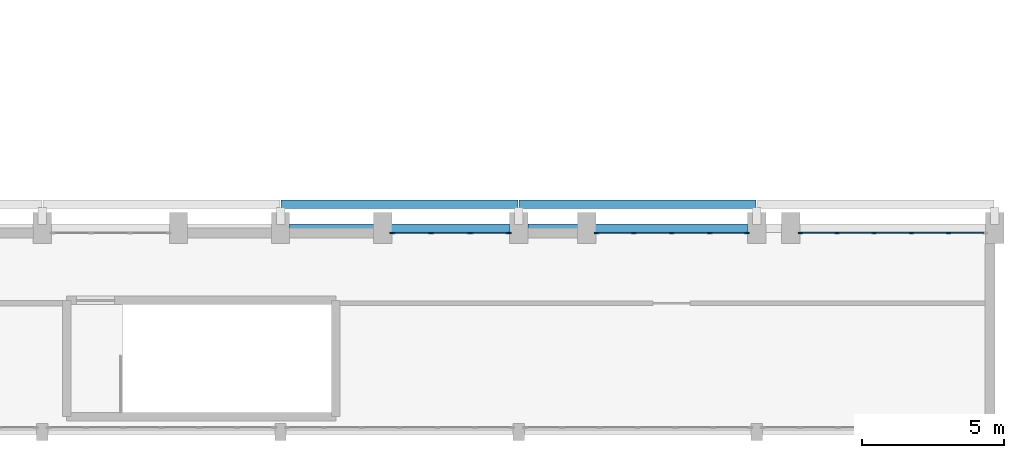
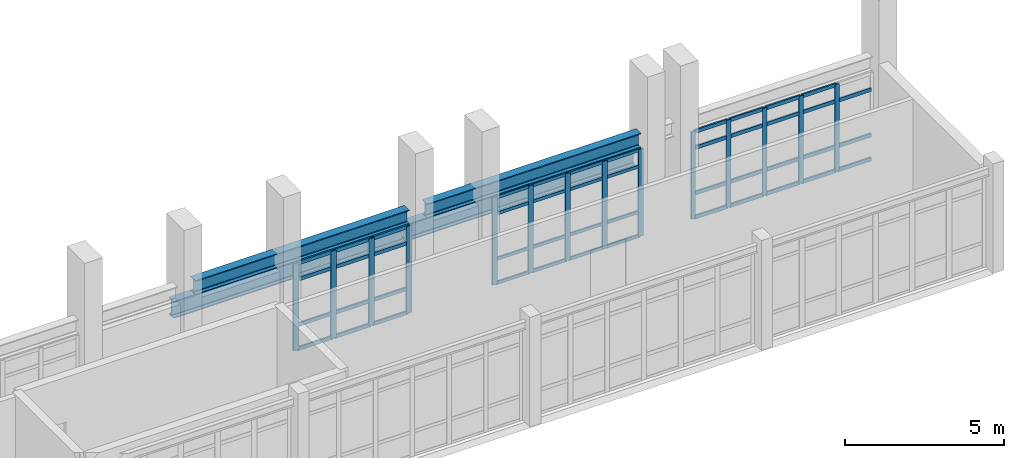
# One storey, part 86 of 147: 61 members, 4 beams, 3 elements without a shape of their own.
"""IFC4 building model written with IfcOpenShell, lengths in metres."""

import ifcopenshell
import ifcopenshell.guid

model = None  # the IFC model being written
_history = None  # IfcOwnerHistory: only IFC2X3 demands one
_inside = {}  # id of a spatial element -> (the spatial element, [elements in it])
_under = {}  # id of a project, library or spatial element -> (it, [spatial elements below it])
_declared = {}  # id of a project -> (the project, [libraries it declares])
_typed = {}  # id of a type object -> (the type object, [elements of that type])
_made_of = {}  # id of a material, layer set ... -> (it, [elements and type objects made of it])


def new_model(schema):
    """Start an empty IFC model of exactly this schema.

    Asked for "IFC4X3", IfcOpenShell would pick the latest addendum, in which some entities
    have other attributes; the version numbers below select the first issue.
    IFC2X3 requires an IfcOwnerHistory on every rooted entity: one is made here for all.
    """
    global model, _history
    if schema == "IFC4X3":
        model = ifcopenshell.file(schema_version=(4, 3, 0, 0))
    else:
        model = ifcopenshell.file(schema=schema)
    _inside.clear()
    _under.clear()
    _declared.clear()
    _typed.clear()
    _made_of.clear()
    _history = None
    if model.schema == "IFC2X3":
        org = make("IfcOrganization", Name="unknown")
        user = make(
            "IfcPersonAndOrganization",
            ThePerson=make("IfcPerson", FamilyName="unknown"),
            TheOrganization=org,
        )
        app = make(
            "IfcApplication",
            ApplicationDeveloper=org,
            Version="unknown",
            ApplicationFullName="unknown",
            ApplicationIdentifier="unknown",
        )
        _history = make(
            "IfcOwnerHistory",
            OwningUser=user,
            OwningApplication=app,
            ChangeAction="ADDED",
            CreationDate=0,
        )
    return model


def make(cls, **values):
    """One entity of the class cls with the attributes given. An attribute that is None is left unset."""
    return model.create_entity(
        cls, **{name: value for name, value in values.items() if value is not None}
    )


def rooted(cls, **values):
    """An entity with a GlobalId (a new one), such as an element, a storey or a relation."""
    return make(cls, GlobalId=ifcopenshell.guid.new(), OwnerHistory=_history, **values)


def si_unit(unit_type, name, prefix=None):
    """IfcSIUnit, for example si_unit("LENGTHUNIT", "METRE", prefix="MILLI")."""
    return make("IfcSIUnit", UnitType=unit_type, Prefix=prefix, Name=name)


def assignment(units):
    """IfcUnitAssignment: the units of a project."""
    return None if units is None else make("IfcUnitAssignment", Units=units)


def point(xyz):
    """IfcCartesianPoint."""
    return None if xyz is None else make("IfcCartesianPoint", Coordinates=xyz)


def direction(xyz):
    """IfcDirection."""
    return None if xyz is None else make("IfcDirection", DirectionRatios=xyz)


def frame(location, z_axis=None, x_axis=None):
    """IfcAxis2Placement3D, a coordinate frame: its origin and axes. An axis left out is left unset."""
    return make(
        "IfcAxis2Placement3D",
        Location=point(location),
        Axis=direction(z_axis),
        RefDirection=direction(x_axis),
    )


def frame_2d(location, x_axis=None):
    """IfcAxis2Placement2D, a coordinate frame in the plane: its origin and x axis."""
    return make(
        "IfcAxis2Placement2D", Location=point(location), RefDirection=direction(x_axis)
    )


def origin():
    """The frame at (0, 0, 0) with its axes left unset."""
    return frame((0.0, 0.0, 0.0))


def origin_2d():
    """The frame at (0, 0) in the plane with its x axis left unset."""
    return frame_2d((0.0, 0.0))


def place(relative_to, where):
    """IfcLocalPlacement: puts the frame where relative to a parent placement (None: the world)."""
    return make(
        "IfcLocalPlacement", PlacementRelTo=relative_to, RelativePlacement=where
    )


def context(
    kind, dimensions, precision=None, world=None, true_north=None, identifier=None
):
    """IfcGeometricRepresentationContext, for example the 3D "Model" context."""
    return make(
        "IfcGeometricRepresentationContext",
        ContextIdentifier=identifier,
        ContextType=kind,
        CoordinateSpaceDimension=dimensions,
        Precision=precision,
        WorldCoordinateSystem=world,
        TrueNorth=true_north,
    )


def subcontext(parent, identifier, kind, view, scale=None):
    """IfcGeometricRepresentationSubContext, for example "Body" below "Model"."""
    return make(
        "IfcGeometricRepresentationSubContext",
        ContextIdentifier=identifier,
        ContextType=kind,
        ParentContext=parent,
        TargetScale=scale,
        TargetView=view,
    )


def project(units=None, contexts=None):
    """IfcProject with its units and contexts."""
    return rooted(
        "IfcProject",
        Name="project",
        RepresentationContexts=contexts,
        UnitsInContext=assignment(units),
    )


def spatial(cls, under=None, at=None, **own):
    """A site, building, storey or space (cls), placed at a placement, below another one or the project."""
    s = rooted(cls, ObjectPlacement=at, **own)
    if under is not None:
        _under.setdefault(under.id(), (under, []))[1].append(s)
    return s


def profile(cls, at=None, kind="AREA", **sizes):
    """A parametric profile (cls). Its sizes go by their IFC names, for example OverallWidth=200.0."""
    return make(cls, ProfileType=kind, Position=at, **sizes)


def rectangle(**sizes):
    """IfcRectangleProfileDef."""
    return profile("IfcRectangleProfileDef", **sizes)


def i_section(**sizes):
    """IfcIShapeProfileDef."""
    return profile("IfcIShapeProfileDef", **sizes)


def extrude(swept, where, along, depth):
    """IfcExtrudedAreaSolid: the profile swept, set in the frame where, extruded along a direction by depth."""
    return make(
        "IfcExtrudedAreaSolid",
        SweptArea=swept,
        Position=where,
        ExtrudedDirection=direction(along),
        Depth=depth,
    )


def shape(context_of_items, identifier, shape_type, items):
    """IfcShapeRepresentation: the items that make up one representation, for example the "Body"."""
    return make(
        "IfcShapeRepresentation",
        ContextOfItems=context_of_items,
        RepresentationIdentifier=identifier,
        RepresentationType=shape_type,
        Items=items,
    )


def material(Name=None, Category=None):
    """IfcMaterial."""
    return make("IfcMaterial", Name=Name, Category=Category)


def material_profile(
    of_material, cross_section, Name=None, Category=None, Priority=None
):
    """IfcMaterialProfile: a cross section and its material."""
    return make(
        "IfcMaterialProfile",
        Name=Name,
        Material=of_material,
        Profile=cross_section,
        Priority=Priority,
        Category=Category,
    )


def profile_set(profiles, Name=None, composite=None):
    """IfcMaterialProfileSet."""
    return make(
        "IfcMaterialProfileSet",
        Name=Name,
        MaterialProfiles=profiles,
        CompositeProfile=composite,
    )


def made_of(thing, what):
    """Note that an element or type object is made of a material, layer set ...; save() writes the relation."""
    if what is not None:
        _made_of.setdefault(what.id(), (what, []))[1].append(thing)
    return thing


def type_object(cls, material=None, **own):
    """A type object (cls), such as IfcWallType, which elements share."""
    return made_of(rooted(cls, **own), material)


def element(
    cls,
    number,
    at=None,
    inside=None,
    cuts=None,
    type_object=None,
    material=None,
    context=None,
    identifier="Body",
    shape_type=None,
    held_by="IfcProductDefinitionShape",
    body=None,
    shapes=None,
    **own,
):
    """One element of the class cls, such as IfcWall. Its Tag is "e" and its number.

    at: its placement. inside: the storey or other place that contains it. cuts: it is an
    opening in that element (IfcRelVoidsElement). A single representation is given by context,
    identifier, shape_type and body (its items); several are given by shapes. held_by: the class
    of the entity that holds the representations. save() writes the other relations.
    """
    e = rooted(cls, Tag="e%d" % number, ObjectPlacement=at, **own)
    if body is not None:
        shapes = [shape(context, identifier, shape_type, body)]
    if shapes is not None:
        e.Representation = make(held_by, Representations=shapes)
    if inside is not None:
        _inside.setdefault(inside.id(), (inside, []))[1].append(e)
    if cuts is not None:
        rooted(
            "IfcRelVoidsElement", RelatingBuildingElement=cuts, RelatedOpeningElement=e
        )
    if type_object is not None:
        _typed.setdefault(type_object.id(), (type_object, []))[1].append(e)
    return made_of(e, material)


def aggregate(whole, parts):
    """IfcRelAggregates: a whole, such as a stair, and the parts it consists of."""
    return rooted("IfcRelAggregates", RelatingObject=whole, RelatedObjects=parts)


def save(model, path):
    """Write the relations noted so far, then the file.

    IfcRelAggregates (storeys below a building ...), IfcRelContainedInSpatialStructure (elements
    in a storey), IfcRelDefinesByType, IfcRelAssociatesMaterial and IfcRelDeclares: one each for
    every whole, place, type object, material and project.
    """
    for whole, parts in _under.values():
        aggregate(whole, parts)
    for where, things in _inside.values():
        rooted(
            "IfcRelContainedInSpatialStructure",
            RelatedElements=things,
            RelatingStructure=where,
        )
    for kind, things in _typed.values():
        rooted("IfcRelDefinesByType", RelatedObjects=things, RelatingType=kind)
    for what, things in _made_of.values():
        rooted("IfcRelAssociatesMaterial", RelatedObjects=things, RelatingMaterial=what)
    for by, libraries in _declared.values():
        rooted("IfcRelDeclares", RelatingContext=by, RelatedDefinitions=libraries)
    model.write(path)


model = new_model("IFC4")

# Units and contexts
model_context = context("Model", 3, precision=1e-05, world=origin(), true_north=direction((0.0, 1.0)))
body_context = subcontext(model_context, "Body", "Model", "MODEL_VIEW")
ifc_project = project(units=[si_unit("LENGTHUNIT", "METRE"), si_unit("AREAUNIT", "SQUARE_METRE"), si_unit("VOLUMEUNIT", "CUBIC_METRE"), si_unit("PLANEANGLEUNIT", "RADIAN"), si_unit("MASSUNIT", "GRAM", prefix="KILO")], contexts=[model_context])

# Site, building, storey
site_placement = place(None, origin())
site = spatial("IfcSite", under=ifc_project, at=site_placement, CompositionType="ELEMENT")
building_placement = place(site_placement, origin())
building = spatial("IfcBuilding", under=site, at=building_placement, Name="Malvenik Polytechnic", CompositionType="ELEMENT")
storey_placement = place(building_placement, frame((0.0, 0.0, 5.10009765625)))
storey = spatial("IfcBuildingStorey", under=building, at=storey_placement, Name="L01", CompositionType="ELEMENT", Elevation=5.10009765625)

# Curtain wall, members
ifc_material_1 = material(Name="Anodised aluminium 6060-T6", Category="aluminium")
curtain_wall_type_1 = type_object("IfcCurtainWallType", Name="ARC-CW-CW-05", PredefinedType="NOTDEFINED", material=ifc_material_1)
curtain_wall_1_placement = place(storey_placement, origin())
curtain_wall_1 = element("IfcCurtainWall", 1, at=curtain_wall_1_placement, inside=storey, type_object=curtain_wall_type_1, Name="Unitised Curtain Wall CW-05 L01 #104", PredefinedType="NOTDEFINED")
ifc_material_2 = material(Name="Anodised aluminium", Category="aluminium")
ifc_material_profile_1 = material_profile(ifc_material_2, rectangle(XDim=0.06005859375, YDim=0.159912109375, at=origin_2d()), Name="ALU MULLION 60x160")
ifc_profile_set_1 = profile_set([ifc_material_profile_1], Name="Anodised aluminium")
member_type_1 = type_object("IfcMemberType", Name="ARC-CWM-160", PredefinedType="MULLION", material=ifc_profile_set_1)
member_1_placement = place(storey_placement, frame((177.952880859375, 35.830078125, 0.0), z_axis=(0.0, 0.0, 1.0), x_axis=(0.0, 1.0, 0.0)))
member_1 = element("IfcMember", 2, at=member_1_placement, type_object=member_type_1, Name="CW-05 mullion 1", PredefinedType="MULLION", context=body_context, shape_type="SweptSolid", body=[
    extrude(rectangle(XDim=0.06005859375, YDim=0.159912109375, at=origin_2d()), origin(), (0.0, 0.0, 1.0), 3.347900390625),
])
member_2_placement = place(storey_placement, frame((179.23388671875, 35.830078125, 0.0), z_axis=(0.0, 0.0, 1.0), x_axis=(0.0, 1.0, 0.0)))
member_2 = element("IfcMember", 3, at=member_2_placement, type_object=member_type_1, Name="CW-05 mullion 2", PredefinedType="MULLION", context=body_context, shape_type="SweptSolid", body=[
    extrude(rectangle(XDim=0.06005859375, YDim=0.159912109375, at=origin_2d()), origin(), (0.0, 0.0, 1.0), 3.347900390625),
])
member_3_placement = place(storey_placement, frame((180.544677734375, 35.830078125, 0.0), z_axis=(0.0, 0.0, 1.0), x_axis=(0.0, 1.0, 0.0)))
member_3 = element("IfcMember", 4, at=member_3_placement, type_object=member_type_1, Name="CW-05 mullion 3", PredefinedType="MULLION", context=body_context, shape_type="SweptSolid", body=[
    extrude(rectangle(XDim=0.06005859375, YDim=0.159912109375, at=origin_2d()), origin(), (0.0, 0.0, 1.0), 3.347900390625),
])
member_4_placement = place(storey_placement, frame((181.85546875, 35.830078125, 0.0), z_axis=(0.0, 0.0, 1.0), x_axis=(0.0, 1.0, 0.0)))
member_4 = element("IfcMember", 5, at=member_4_placement, type_object=member_type_1, Name="CW-05 mullion 4", PredefinedType="MULLION", context=body_context, shape_type="SweptSolid", body=[
    extrude(rectangle(XDim=0.06005859375, YDim=0.159912109375, at=origin_2d()), origin(), (0.0, 0.0, 1.0), 3.347900390625),
])
member_5_placement = place(storey_placement, frame((183.166259765625, 35.830078125, 0.0), z_axis=(0.0, 0.0, 1.0), x_axis=(0.0, 1.0, 0.0)))
member_5 = element("IfcMember", 6, at=member_5_placement, type_object=member_type_1, Name="CW-05 mullion 5", PredefinedType="MULLION", context=body_context, shape_type="SweptSolid", body=[
    extrude(rectangle(XDim=0.06005859375, YDim=0.159912109375, at=origin_2d()), origin(), (0.0, 0.0, 1.0), 3.347900390625),
])

curtain_wall_type_2 = type_object("IfcCurtainWallType", Name="ARC-CW-CW-15", PredefinedType="NOTDEFINED", material=ifc_material_1)
curtain_wall_2_placement = place(storey_placement, origin())
curtain_wall_2 = element("IfcCurtainWall", 7, at=curtain_wall_2_placement, inside=storey, type_object=curtain_wall_type_2, Name="Unitised Curtain Wall CW-15 L01 #103", PredefinedType="NOTDEFINED")
ifc_material_profile_2 = material_profile(ifc_material_2, rectangle(XDim=0.06005859375, YDim=0.179931640625, at=origin_2d()), Name="ALU MULLION 60x180")
ifc_profile_set_2 = profile_set([ifc_material_profile_2], Name="Anodised aluminium")
member_type_2 = type_object("IfcMemberType", Name="ARC-CWM-180", PredefinedType="MULLION", material=ifc_profile_set_2)
member_6_placement = place(storey_placement, frame((170.7529296875, 35.830078125, 0.0), z_axis=(0.0, 0.0, 1.0), x_axis=(0.0, 1.0, 0.0)))
member_6 = element("IfcMember", 8, at=member_6_placement, type_object=member_type_2, Name="CW-15 mullion 1", PredefinedType="MULLION", context=body_context, shape_type="SweptSolid", body=[
    extrude(rectangle(XDim=0.06005859375, YDim=0.179931640625, at=origin_2d()), origin(), (0.0, 0.0, 1.0), 3.347900390625),
])
member_7_placement = place(storey_placement, frame((172.0615234375, 35.830078125, 0.0), z_axis=(0.0, 0.0, 1.0), x_axis=(0.0, 1.0, 0.0)))
member_7 = element("IfcMember", 9, at=member_7_placement, type_object=member_type_2, Name="CW-15 mullion 2", PredefinedType="MULLION", context=body_context, shape_type="SweptSolid", body=[
    extrude(rectangle(XDim=0.06005859375, YDim=0.179931640625, at=origin_2d()), origin(), (0.0, 0.0, 1.0), 3.347900390625),
])
member_8_placement = place(storey_placement, frame((173.39990234375, 35.830078125, 0.0), z_axis=(0.0, 0.0, 1.0), x_axis=(0.0, 1.0, 0.0)))
member_8 = element("IfcMember", 10, at=member_8_placement, type_object=member_type_2, Name="CW-15 mullion 3", PredefinedType="MULLION", context=body_context, shape_type="SweptSolid", body=[
    extrude(rectangle(XDim=0.06005859375, YDim=0.179931640625, at=origin_2d()), origin(), (0.0, 0.0, 1.0), 3.347900390625),
])
member_9_placement = place(storey_placement, frame((174.738525390625, 35.830078125, 0.0), z_axis=(0.0, 0.0, 1.0), x_axis=(0.0, 1.0, 0.0)))
member_9 = element("IfcMember", 11, at=member_9_placement, type_object=member_type_2, Name="CW-15 mullion 4", PredefinedType="MULLION", context=body_context, shape_type="SweptSolid", body=[
    extrude(rectangle(XDim=0.06005859375, YDim=0.179931640625, at=origin_2d()), origin(), (0.0, 0.0, 1.0), 3.347900390625),
])
member_10_placement = place(storey_placement, frame((176.047119140625, 35.830078125, 0.0), z_axis=(0.0, 0.0, 1.0), x_axis=(0.0, 1.0, 0.0)))
member_10 = element("IfcMember", 12, at=member_10_placement, type_object=member_type_2, Name="CW-15 mullion 5", PredefinedType="MULLION", context=body_context, shape_type="SweptSolid", body=[
    extrude(rectangle(XDim=0.06005859375, YDim=0.179931640625, at=origin_2d()), origin(), (0.0, 0.0, 1.0), 3.347900390625),
])

curtain_wall_type_3 = type_object("IfcCurtainWallType", Name="ARC-CW-CW-11", PredefinedType="NOTDEFINED", material=ifc_material_1)
curtain_wall_3_placement = place(storey_placement, origin())
curtain_wall_3 = element("IfcCurtainWall", 13, at=curtain_wall_3_placement, inside=storey, type_object=curtain_wall_type_3, Name="Unitised Curtain Wall CW-11 L01 #102", PredefinedType="NOTDEFINED")
ifc_material_profile_3 = material_profile(ifc_material_2, rectangle(XDim=0.06005859375, YDim=0.199951171875, at=origin_2d()), Name="ALU MULLION 60x200")
ifc_profile_set_3 = profile_set([ifc_material_profile_3], Name="Anodised aluminium")
member_type_3 = type_object("IfcMemberType", Name="ARC-CWM-200", PredefinedType="MULLION", material=ifc_profile_set_3)
member_11_placement = place(storey_placement, frame((163.552978515625, 35.830078125, 0.0), z_axis=(0.0, 0.0, 1.0), x_axis=(0.0, 1.0, 0.0)))
member_11 = element("IfcMember", 14, at=member_11_placement, type_object=member_type_3, Name="CW-11 mullion 1", PredefinedType="MULLION", context=body_context, shape_type="SweptSolid", body=[
    extrude(rectangle(XDim=0.06005859375, YDim=0.199951171875, at=origin_2d()), origin(), (0.0, 0.0, 1.0), 3.347900390625),
])
member_12_placement = place(storey_placement, frame((164.90771484375, 35.830078125, 0.0), z_axis=(0.0, 0.0, 1.0), x_axis=(0.0, 1.0, 0.0)))
member_12 = element("IfcMember", 15, at=member_12_placement, type_object=member_type_3, Name="CW-11 mullion 2", PredefinedType="MULLION", context=body_context, shape_type="SweptSolid", body=[
    extrude(rectangle(XDim=0.06005859375, YDim=0.199951171875, at=origin_2d()), origin(), (0.0, 0.0, 1.0), 3.347900390625),
])
member_13_placement = place(storey_placement, frame((166.292236328125, 35.830078125, 0.0), z_axis=(0.0, 0.0, 1.0), x_axis=(0.0, 1.0, 0.0)))
member_13 = element("IfcMember", 16, at=member_13_placement, type_object=member_type_3, Name="CW-11 mullion 3", PredefinedType="MULLION", context=body_context, shape_type="SweptSolid", body=[
    extrude(rectangle(XDim=0.06005859375, YDim=0.199951171875, at=origin_2d()), origin(), (0.0, 0.0, 1.0), 3.347900390625),
])
member_14_placement = place(storey_placement, frame((167.64697265625, 35.830078125, 0.0), z_axis=(0.0, 0.0, 1.0), x_axis=(0.0, 1.0, 0.0)))
member_14 = element("IfcMember", 17, at=member_14_placement, type_object=member_type_3, Name="CW-11 mullion 4", PredefinedType="MULLION", context=body_context, shape_type="SweptSolid", body=[
    extrude(rectangle(XDim=0.06005859375, YDim=0.199951171875, at=origin_2d()), origin(), (0.0, 0.0, 1.0), 3.347900390625),
])

# Member
ifc_material_profile_4 = material_profile(ifc_material_2, rectangle(XDim=0.06005859375, YDim=0.1201171875, at=origin_2d()), Name="ALU TRANSOM 60x120")
ifc_profile_set_4 = profile_set([ifc_material_profile_4], Name="Anodised aluminium")
member_type_4 = type_object("IfcMemberType", Name="ARC-CWT-120", PredefinedType="USERDEFINED", material=ifc_profile_set_4)
member_15_placement = place(storey_placement, frame((170.782958984375, 35.830078125, 0.02978515625), z_axis=(1.0, 0.0, 0.0), x_axis=(0.0, 1.0, 0.0)))
member_15 = element("IfcMember", 18, at=member_15_placement, type_object=member_type_4, Name="CW-15 transom 1.1", ObjectType="TRANSOM", PredefinedType="USERDEFINED", context=body_context, shape_type="SweptSolid", body=[
    extrude(rectangle(XDim=0.06005859375, YDim=0.1201171875, at=origin_2d()), origin(), (0.0, 0.0, 1.0), 1.24853515625),
])

member_16_placement = place(storey_placement, frame((170.782958984375, 35.830078125, 0.949951171875), z_axis=(1.0, 0.0, 0.0), x_axis=(0.0, 1.0, 0.0)))
member_16 = element("IfcMember", 19, at=member_16_placement, type_object=member_type_4, Name="CW-15 transom 1.2", ObjectType="TRANSOM", PredefinedType="USERDEFINED", context=body_context, shape_type="SweptSolid", body=[
    extrude(rectangle(XDim=0.06005859375, YDim=0.1201171875, at=origin_2d()), origin(), (0.0, 0.0, 1.0), 1.24853515625),
])

member_17_placement = place(storey_placement, frame((170.782958984375, 35.830078125, 2.697998046875), z_axis=(1.0, 0.0, 0.0), x_axis=(0.0, 1.0, 0.0)))
member_17 = element("IfcMember", 20, at=member_17_placement, type_object=member_type_4, Name="CW-15 transom 1.3", ObjectType="TRANSOM", PredefinedType="USERDEFINED", context=body_context, shape_type="SweptSolid", body=[
    extrude(rectangle(XDim=0.06005859375, YDim=0.1201171875, at=origin_2d()), origin(), (0.0, 0.0, 1.0), 1.24853515625),
])

member_18_placement = place(storey_placement, frame((170.782958984375, 35.830078125, 3.31787109375), z_axis=(1.0, 0.0, 0.0), x_axis=(0.0, 1.0, 0.0)))
member_18 = element("IfcMember", 21, at=member_18_placement, type_object=member_type_4, Name="CW-15 transom 1.4", ObjectType="TRANSOM", PredefinedType="USERDEFINED", context=body_context, shape_type="SweptSolid", body=[
    extrude(rectangle(XDim=0.06005859375, YDim=0.1201171875, at=origin_2d()), origin(), (0.0, 0.0, 1.0), 1.24853515625),
])

member_19_placement = place(storey_placement, frame((172.091552734375, 35.830078125, 0.02978515625), z_axis=(1.0, 0.0, 0.0), x_axis=(0.0, 1.0, 0.0)))
member_19 = element("IfcMember", 22, at=member_19_placement, type_object=member_type_4, Name="CW-15 transom 2.1", ObjectType="TRANSOM", PredefinedType="USERDEFINED", context=body_context, shape_type="SweptSolid", body=[
    extrude(rectangle(XDim=0.06005859375, YDim=0.1201171875, at=origin_2d()), origin(), (0.0, 0.0, 1.0), 1.278564453125),
])

member_20_placement = place(storey_placement, frame((172.091552734375, 35.830078125, 0.949951171875), z_axis=(1.0, 0.0, 0.0), x_axis=(0.0, 1.0, 0.0)))
member_20 = element("IfcMember", 23, at=member_20_placement, type_object=member_type_4, Name="CW-15 transom 2.2", ObjectType="TRANSOM", PredefinedType="USERDEFINED", context=body_context, shape_type="SweptSolid", body=[
    extrude(rectangle(XDim=0.06005859375, YDim=0.1201171875, at=origin_2d()), origin(), (0.0, 0.0, 1.0), 1.278564453125),
])

member_21_placement = place(storey_placement, frame((172.091552734375, 35.830078125, 2.697998046875), z_axis=(1.0, 0.0, 0.0), x_axis=(0.0, 1.0, 0.0)))
member_21 = element("IfcMember", 24, at=member_21_placement, type_object=member_type_4, Name="CW-15 transom 2.3", ObjectType="TRANSOM", PredefinedType="USERDEFINED", context=body_context, shape_type="SweptSolid", body=[
    extrude(rectangle(XDim=0.06005859375, YDim=0.1201171875, at=origin_2d()), origin(), (0.0, 0.0, 1.0), 1.278564453125),
])

member_22_placement = place(storey_placement, frame((172.091552734375, 35.830078125, 3.31787109375), z_axis=(1.0, 0.0, 0.0), x_axis=(0.0, 1.0, 0.0)))
member_22 = element("IfcMember", 25, at=member_22_placement, type_object=member_type_4, Name="CW-15 transom 2.4", ObjectType="TRANSOM", PredefinedType="USERDEFINED", context=body_context, shape_type="SweptSolid", body=[
    extrude(rectangle(XDim=0.06005859375, YDim=0.1201171875, at=origin_2d()), origin(), (0.0, 0.0, 1.0), 1.278564453125),
])

member_23_placement = place(storey_placement, frame((173.429931640625, 35.830078125, 0.02978515625), z_axis=(1.0, 0.0, 0.0), x_axis=(0.0, 1.0, 0.0)))
member_23 = element("IfcMember", 26, at=member_23_placement, type_object=member_type_4, Name="CW-15 transom 3.1", ObjectType="TRANSOM", PredefinedType="USERDEFINED", context=body_context, shape_type="SweptSolid", body=[
    extrude(rectangle(XDim=0.06005859375, YDim=0.1201171875, at=origin_2d()), origin(), (0.0, 0.0, 1.0), 1.278564453125),
])

member_24_placement = place(storey_placement, frame((173.429931640625, 35.830078125, 0.949951171875), z_axis=(1.0, 0.0, 0.0), x_axis=(0.0, 1.0, 0.0)))
member_24 = element("IfcMember", 27, at=member_24_placement, type_object=member_type_4, Name="CW-15 transom 3.2", ObjectType="TRANSOM", PredefinedType="USERDEFINED", context=body_context, shape_type="SweptSolid", body=[
    extrude(rectangle(XDim=0.06005859375, YDim=0.1201171875, at=origin_2d()), origin(), (0.0, 0.0, 1.0), 1.278564453125),
])

member_25_placement = place(storey_placement, frame((173.429931640625, 35.830078125, 2.697998046875), z_axis=(1.0, 0.0, 0.0), x_axis=(0.0, 1.0, 0.0)))
member_25 = element("IfcMember", 28, at=member_25_placement, type_object=member_type_4, Name="CW-15 transom 3.3", ObjectType="TRANSOM", PredefinedType="USERDEFINED", context=body_context, shape_type="SweptSolid", body=[
    extrude(rectangle(XDim=0.06005859375, YDim=0.1201171875, at=origin_2d()), origin(), (0.0, 0.0, 1.0), 1.278564453125),
])

member_26_placement = place(storey_placement, frame((173.429931640625, 35.830078125, 3.31787109375), z_axis=(1.0, 0.0, 0.0), x_axis=(0.0, 1.0, 0.0)))
member_26 = element("IfcMember", 29, at=member_26_placement, type_object=member_type_4, Name="CW-15 transom 3.4", ObjectType="TRANSOM", PredefinedType="USERDEFINED", context=body_context, shape_type="SweptSolid", body=[
    extrude(rectangle(XDim=0.06005859375, YDim=0.1201171875, at=origin_2d()), origin(), (0.0, 0.0, 1.0), 1.278564453125),
])

member_27_placement = place(storey_placement, frame((174.7685546875, 35.830078125, 0.02978515625), z_axis=(1.0, 0.0, 0.0), x_axis=(0.0, 1.0, 0.0)))
member_27 = element("IfcMember", 30, at=member_27_placement, type_object=member_type_4, Name="CW-15 transom 4.1", ObjectType="TRANSOM", PredefinedType="USERDEFINED", context=body_context, shape_type="SweptSolid", body=[
    extrude(rectangle(XDim=0.06005859375, YDim=0.1201171875, at=origin_2d()), origin(), (0.0, 0.0, 1.0), 1.24853515625),
])

member_28_placement = place(storey_placement, frame((174.7685546875, 35.830078125, 0.949951171875), z_axis=(1.0, 0.0, 0.0), x_axis=(0.0, 1.0, 0.0)))
member_28 = element("IfcMember", 31, at=member_28_placement, type_object=member_type_4, Name="CW-15 transom 4.2", ObjectType="TRANSOM", PredefinedType="USERDEFINED", context=body_context, shape_type="SweptSolid", body=[
    extrude(rectangle(XDim=0.06005859375, YDim=0.1201171875, at=origin_2d()), origin(), (0.0, 0.0, 1.0), 1.24853515625),
])

member_29_placement = place(storey_placement, frame((174.7685546875, 35.830078125, 2.697998046875), z_axis=(1.0, 0.0, 0.0), x_axis=(0.0, 1.0, 0.0)))
member_29 = element("IfcMember", 32, at=member_29_placement, type_object=member_type_4, Name="CW-15 transom 4.3", ObjectType="TRANSOM", PredefinedType="USERDEFINED", context=body_context, shape_type="SweptSolid", body=[
    extrude(rectangle(XDim=0.06005859375, YDim=0.1201171875, at=origin_2d()), origin(), (0.0, 0.0, 1.0), 1.24853515625),
])

member_30_placement = place(storey_placement, frame((174.7685546875, 35.830078125, 3.31787109375), z_axis=(1.0, 0.0, 0.0), x_axis=(0.0, 1.0, 0.0)))
member_30 = element("IfcMember", 33, at=member_30_placement, type_object=member_type_4, Name="CW-15 transom 4.4", ObjectType="TRANSOM", PredefinedType="USERDEFINED", context=body_context, shape_type="SweptSolid", body=[
    extrude(rectangle(XDim=0.06005859375, YDim=0.1201171875, at=origin_2d()), origin(), (0.0, 0.0, 1.0), 1.24853515625),
])

aggregate(curtain_wall_2, [member_6, member_7, member_8, member_9, member_10, member_15, member_16, member_17, member_18, member_19, member_20, member_21, member_22, member_23, member_24, member_25, member_26, member_27, member_28, member_29, member_30])

ifc_material_profile_5 = material_profile(ifc_material_2, rectangle(XDim=0.06005859375, YDim=0.139892578125, at=origin_2d()), Name="ALU TRANSOM 60x140")
ifc_profile_set_5 = profile_set([ifc_material_profile_5], Name="Anodised aluminium")
member_type_5 = type_object("IfcMemberType", Name="ARC-CWT-140", PredefinedType="USERDEFINED", material=ifc_profile_set_5)
member_31_placement = place(storey_placement, frame((163.5830078125, 35.830078125, 0.02978515625), z_axis=(1.0, 0.0, 0.0), x_axis=(0.0, 1.0, 0.0)))
member_31 = element("IfcMember", 34, at=member_31_placement, type_object=member_type_5, Name="CW-11 transom 1.1", ObjectType="TRANSOM", PredefinedType="USERDEFINED", context=body_context, shape_type="SweptSolid", body=[
    extrude(rectangle(XDim=0.06005859375, YDim=0.139892578125, at=origin_2d()), origin(), (0.0, 0.0, 1.0), 1.294677734375),
])

member_32_placement = place(storey_placement, frame((163.5830078125, 35.830078125, 0.949951171875), z_axis=(1.0, 0.0, 0.0), x_axis=(0.0, 1.0, 0.0)))
member_32 = element("IfcMember", 35, at=member_32_placement, type_object=member_type_5, Name="CW-11 transom 1.2", ObjectType="TRANSOM", PredefinedType="USERDEFINED", context=body_context, shape_type="SweptSolid", body=[
    extrude(rectangle(XDim=0.06005859375, YDim=0.139892578125, at=origin_2d()), origin(), (0.0, 0.0, 1.0), 1.294677734375),
])

member_33_placement = place(storey_placement, frame((163.5830078125, 35.830078125, 2.697998046875), z_axis=(1.0, 0.0, 0.0), x_axis=(0.0, 1.0, 0.0)))
member_33 = element("IfcMember", 36, at=member_33_placement, type_object=member_type_5, Name="CW-11 transom 1.3", ObjectType="TRANSOM", PredefinedType="USERDEFINED", context=body_context, shape_type="SweptSolid", body=[
    extrude(rectangle(XDim=0.06005859375, YDim=0.139892578125, at=origin_2d()), origin(), (0.0, 0.0, 1.0), 1.294677734375),
])

member_34_placement = place(storey_placement, frame((163.5830078125, 35.830078125, 3.31787109375), z_axis=(1.0, 0.0, 0.0), x_axis=(0.0, 1.0, 0.0)))
member_34 = element("IfcMember", 37, at=member_34_placement, type_object=member_type_5, Name="CW-11 transom 1.4", ObjectType="TRANSOM", PredefinedType="USERDEFINED", context=body_context, shape_type="SweptSolid", body=[
    extrude(rectangle(XDim=0.06005859375, YDim=0.139892578125, at=origin_2d()), origin(), (0.0, 0.0, 1.0), 1.294677734375),
])

member_35_placement = place(storey_placement, frame((164.937744140625, 35.830078125, 0.02978515625), z_axis=(1.0, 0.0, 0.0), x_axis=(0.0, 1.0, 0.0)))
member_35 = element("IfcMember", 38, at=member_35_placement, type_object=member_type_5, Name="CW-11 transom 2.1", ObjectType="TRANSOM", PredefinedType="USERDEFINED", context=body_context, shape_type="SweptSolid", body=[
    extrude(rectangle(XDim=0.06005859375, YDim=0.139892578125, at=origin_2d()), origin(), (0.0, 0.0, 1.0), 1.32470703125),
])

member_36_placement = place(storey_placement, frame((164.937744140625, 35.830078125, 0.949951171875), z_axis=(1.0, 0.0, 0.0), x_axis=(0.0, 1.0, 0.0)))
member_36 = element("IfcMember", 39, at=member_36_placement, type_object=member_type_5, Name="CW-11 transom 2.2", ObjectType="TRANSOM", PredefinedType="USERDEFINED", context=body_context, shape_type="SweptSolid", body=[
    extrude(rectangle(XDim=0.06005859375, YDim=0.139892578125, at=origin_2d()), origin(), (0.0, 0.0, 1.0), 1.32470703125),
])

member_37_placement = place(storey_placement, frame((164.937744140625, 35.830078125, 2.697998046875), z_axis=(1.0, 0.0, 0.0), x_axis=(0.0, 1.0, 0.0)))
member_37 = element("IfcMember", 40, at=member_37_placement, type_object=member_type_5, Name="CW-11 transom 2.3", ObjectType="TRANSOM", PredefinedType="USERDEFINED", context=body_context, shape_type="SweptSolid", body=[
    extrude(rectangle(XDim=0.06005859375, YDim=0.139892578125, at=origin_2d()), origin(), (0.0, 0.0, 1.0), 1.32470703125),
])

member_38_placement = place(storey_placement, frame((164.937744140625, 35.830078125, 3.31787109375), z_axis=(1.0, 0.0, 0.0), x_axis=(0.0, 1.0, 0.0)))
member_38 = element("IfcMember", 41, at=member_38_placement, type_object=member_type_5, Name="CW-11 transom 2.4", ObjectType="TRANSOM", PredefinedType="USERDEFINED", context=body_context, shape_type="SweptSolid", body=[
    extrude(rectangle(XDim=0.06005859375, YDim=0.139892578125, at=origin_2d()), origin(), (0.0, 0.0, 1.0), 1.32470703125),
])

member_39_placement = place(storey_placement, frame((166.322265625, 35.830078125, 0.02978515625), z_axis=(1.0, 0.0, 0.0), x_axis=(0.0, 1.0, 0.0)))
member_39 = element("IfcMember", 42, at=member_39_placement, type_object=member_type_5, Name="CW-11 transom 3.1", ObjectType="TRANSOM", PredefinedType="USERDEFINED", context=body_context, shape_type="SweptSolid", body=[
    extrude(rectangle(XDim=0.06005859375, YDim=0.139892578125, at=origin_2d()), origin(), (0.0, 0.0, 1.0), 1.294677734375),
])

member_40_placement = place(storey_placement, frame((166.322265625, 35.830078125, 0.949951171875), z_axis=(1.0, 0.0, 0.0), x_axis=(0.0, 1.0, 0.0)))
member_40 = element("IfcMember", 43, at=member_40_placement, type_object=member_type_5, Name="CW-11 transom 3.2", ObjectType="TRANSOM", PredefinedType="USERDEFINED", context=body_context, shape_type="SweptSolid", body=[
    extrude(rectangle(XDim=0.06005859375, YDim=0.139892578125, at=origin_2d()), origin(), (0.0, 0.0, 1.0), 1.294677734375),
])

member_41_placement = place(storey_placement, frame((166.322265625, 35.830078125, 2.697998046875), z_axis=(1.0, 0.0, 0.0), x_axis=(0.0, 1.0, 0.0)))
member_41 = element("IfcMember", 44, at=member_41_placement, type_object=member_type_5, Name="CW-11 transom 3.3", ObjectType="TRANSOM", PredefinedType="USERDEFINED", context=body_context, shape_type="SweptSolid", body=[
    extrude(rectangle(XDim=0.06005859375, YDim=0.139892578125, at=origin_2d()), origin(), (0.0, 0.0, 1.0), 1.294677734375),
])

member_42_placement = place(storey_placement, frame((166.322265625, 35.830078125, 3.31787109375), z_axis=(1.0, 0.0, 0.0), x_axis=(0.0, 1.0, 0.0)))
member_42 = element("IfcMember", 45, at=member_42_placement, type_object=member_type_5, Name="CW-11 transom 3.4", ObjectType="TRANSOM", PredefinedType="USERDEFINED", context=body_context, shape_type="SweptSolid", body=[
    extrude(rectangle(XDim=0.06005859375, YDim=0.139892578125, at=origin_2d()), origin(), (0.0, 0.0, 1.0), 1.294677734375),
])

aggregate(curtain_wall_3, [member_11, member_12, member_13, member_14, member_31, member_32, member_33, member_34, member_35, member_36, member_37, member_38, member_39, member_40, member_41, member_42])

member_43_placement = place(storey_placement, frame((177.98291015625, 35.830078125, 0.02978515625), z_axis=(1.0, 0.0, 0.0), x_axis=(0.0, 1.0, 0.0)))
member_43 = element("IfcMember", 46, at=member_43_placement, type_object=member_type_5, Name="CW-05 transom 1.1", ObjectType="TRANSOM", PredefinedType="USERDEFINED", context=body_context, shape_type="SweptSolid", body=[
    extrude(rectangle(XDim=0.06005859375, YDim=0.139892578125, at=origin_2d()), origin(), (0.0, 0.0, 1.0), 1.220947265625),
])

member_44_placement = place(storey_placement, frame((177.98291015625, 35.830078125, 0.949951171875), z_axis=(1.0, 0.0, 0.0), x_axis=(0.0, 1.0, 0.0)))
member_44 = element("IfcMember", 47, at=member_44_placement, type_object=member_type_5, Name="CW-05 transom 1.2", ObjectType="TRANSOM", PredefinedType="USERDEFINED", context=body_context, shape_type="SweptSolid", body=[
    extrude(rectangle(XDim=0.06005859375, YDim=0.139892578125, at=origin_2d()), origin(), (0.0, 0.0, 1.0), 1.220947265625),
])

member_45_placement = place(storey_placement, frame((177.98291015625, 35.830078125, 2.697998046875), z_axis=(1.0, 0.0, 0.0), x_axis=(0.0, 1.0, 0.0)))
member_45 = element("IfcMember", 48, at=member_45_placement, type_object=member_type_5, Name="CW-05 transom 1.3", ObjectType="TRANSOM", PredefinedType="USERDEFINED", context=body_context, shape_type="SweptSolid", body=[
    extrude(rectangle(XDim=0.06005859375, YDim=0.139892578125, at=origin_2d()), origin(), (0.0, 0.0, 1.0), 1.220947265625),
])

member_46_placement = place(storey_placement, frame((177.98291015625, 35.830078125, 3.31787109375), z_axis=(1.0, 0.0, 0.0), x_axis=(0.0, 1.0, 0.0)))
member_46 = element("IfcMember", 49, at=member_46_placement, type_object=member_type_5, Name="CW-05 transom 1.4", ObjectType="TRANSOM", PredefinedType="USERDEFINED", context=body_context, shape_type="SweptSolid", body=[
    extrude(rectangle(XDim=0.06005859375, YDim=0.139892578125, at=origin_2d()), origin(), (0.0, 0.0, 1.0), 1.220947265625),
])

member_47_placement = place(storey_placement, frame((179.263916015625, 35.830078125, 0.02978515625), z_axis=(1.0, 0.0, 0.0), x_axis=(0.0, 1.0, 0.0)))
member_47 = element("IfcMember", 50, at=member_47_placement, type_object=member_type_5, Name="CW-05 transom 2.1", ObjectType="TRANSOM", PredefinedType="USERDEFINED", context=body_context, shape_type="SweptSolid", body=[
    extrude(rectangle(XDim=0.06005859375, YDim=0.139892578125, at=origin_2d()), origin(), (0.0, 0.0, 1.0), 1.250732421875),
])

member_48_placement = place(storey_placement, frame((179.263916015625, 35.830078125, 0.949951171875), z_axis=(1.0, 0.0, 0.0), x_axis=(0.0, 1.0, 0.0)))
member_48 = element("IfcMember", 51, at=member_48_placement, type_object=member_type_5, Name="CW-05 transom 2.2", ObjectType="TRANSOM", PredefinedType="USERDEFINED", context=body_context, shape_type="SweptSolid", body=[
    extrude(rectangle(XDim=0.06005859375, YDim=0.139892578125, at=origin_2d()), origin(), (0.0, 0.0, 1.0), 1.250732421875),
])

member_49_placement = place(storey_placement, frame((179.263916015625, 35.830078125, 2.697998046875), z_axis=(1.0, 0.0, 0.0), x_axis=(0.0, 1.0, 0.0)))
member_49 = element("IfcMember", 52, at=member_49_placement, type_object=member_type_5, Name="CW-05 transom 2.3", ObjectType="TRANSOM", PredefinedType="USERDEFINED", context=body_context, shape_type="SweptSolid", body=[
    extrude(rectangle(XDim=0.06005859375, YDim=0.139892578125, at=origin_2d()), origin(), (0.0, 0.0, 1.0), 1.250732421875),
])

member_50_placement = place(storey_placement, frame((179.263916015625, 35.830078125, 3.31787109375), z_axis=(1.0, 0.0, 0.0), x_axis=(0.0, 1.0, 0.0)))
member_50 = element("IfcMember", 53, at=member_50_placement, type_object=member_type_5, Name="CW-05 transom 2.4", ObjectType="TRANSOM", PredefinedType="USERDEFINED", context=body_context, shape_type="SweptSolid", body=[
    extrude(rectangle(XDim=0.06005859375, YDim=0.139892578125, at=origin_2d()), origin(), (0.0, 0.0, 1.0), 1.250732421875),
])

member_51_placement = place(storey_placement, frame((180.57470703125, 35.830078125, 0.02978515625), z_axis=(1.0, 0.0, 0.0), x_axis=(0.0, 1.0, 0.0)))
member_51 = element("IfcMember", 54, at=member_51_placement, type_object=member_type_5, Name="CW-05 transom 3.1", ObjectType="TRANSOM", PredefinedType="USERDEFINED", context=body_context, shape_type="SweptSolid", body=[
    extrude(rectangle(XDim=0.06005859375, YDim=0.139892578125, at=origin_2d()), origin(), (0.0, 0.0, 1.0), 1.250732421875),
])

member_52_placement = place(storey_placement, frame((180.57470703125, 35.830078125, 0.949951171875), z_axis=(1.0, 0.0, 0.0), x_axis=(0.0, 1.0, 0.0)))
member_52 = element("IfcMember", 55, at=member_52_placement, type_object=member_type_5, Name="CW-05 transom 3.2", ObjectType="TRANSOM", PredefinedType="USERDEFINED", context=body_context, shape_type="SweptSolid", body=[
    extrude(rectangle(XDim=0.06005859375, YDim=0.139892578125, at=origin_2d()), origin(), (0.0, 0.0, 1.0), 1.250732421875),
])

member_53_placement = place(storey_placement, frame((180.57470703125, 35.830078125, 2.697998046875), z_axis=(1.0, 0.0, 0.0), x_axis=(0.0, 1.0, 0.0)))
member_53 = element("IfcMember", 56, at=member_53_placement, type_object=member_type_5, Name="CW-05 transom 3.3", ObjectType="TRANSOM", PredefinedType="USERDEFINED", context=body_context, shape_type="SweptSolid", body=[
    extrude(rectangle(XDim=0.06005859375, YDim=0.139892578125, at=origin_2d()), origin(), (0.0, 0.0, 1.0), 1.250732421875),
])

member_54_placement = place(storey_placement, frame((180.57470703125, 35.830078125, 3.31787109375), z_axis=(1.0, 0.0, 0.0), x_axis=(0.0, 1.0, 0.0)))
member_54 = element("IfcMember", 57, at=member_54_placement, type_object=member_type_5, Name="CW-05 transom 3.4", ObjectType="TRANSOM", PredefinedType="USERDEFINED", context=body_context, shape_type="SweptSolid", body=[
    extrude(rectangle(XDim=0.06005859375, YDim=0.139892578125, at=origin_2d()), origin(), (0.0, 0.0, 1.0), 1.250732421875),
])

member_55_placement = place(storey_placement, frame((181.885498046875, 35.830078125, 0.02978515625), z_axis=(1.0, 0.0, 0.0), x_axis=(0.0, 1.0, 0.0)))
member_55 = element("IfcMember", 58, at=member_55_placement, type_object=member_type_5, Name="CW-05 transom 4.1", ObjectType="TRANSOM", PredefinedType="USERDEFINED", context=body_context, shape_type="SweptSolid", body=[
    extrude(rectangle(XDim=0.06005859375, YDim=0.139892578125, at=origin_2d()), origin(), (0.0, 0.0, 1.0), 1.250732421875),
])

member_56_placement = place(storey_placement, frame((181.885498046875, 35.830078125, 0.949951171875), z_axis=(1.0, 0.0, 0.0), x_axis=(0.0, 1.0, 0.0)))
member_56 = element("IfcMember", 59, at=member_56_placement, type_object=member_type_5, Name="CW-05 transom 4.2", ObjectType="TRANSOM", PredefinedType="USERDEFINED", context=body_context, shape_type="SweptSolid", body=[
    extrude(rectangle(XDim=0.06005859375, YDim=0.139892578125, at=origin_2d()), origin(), (0.0, 0.0, 1.0), 1.250732421875),
])

member_57_placement = place(storey_placement, frame((181.885498046875, 35.830078125, 2.697998046875), z_axis=(1.0, 0.0, 0.0), x_axis=(0.0, 1.0, 0.0)))
member_57 = element("IfcMember", 60, at=member_57_placement, type_object=member_type_5, Name="CW-05 transom 4.3", ObjectType="TRANSOM", PredefinedType="USERDEFINED", context=body_context, shape_type="SweptSolid", body=[
    extrude(rectangle(XDim=0.06005859375, YDim=0.139892578125, at=origin_2d()), origin(), (0.0, 0.0, 1.0), 1.250732421875),
])

member_58_placement = place(storey_placement, frame((181.885498046875, 35.830078125, 3.31787109375), z_axis=(1.0, 0.0, 0.0), x_axis=(0.0, 1.0, 0.0)))
member_58 = element("IfcMember", 61, at=member_58_placement, type_object=member_type_5, Name="CW-05 transom 4.4", ObjectType="TRANSOM", PredefinedType="USERDEFINED", context=body_context, shape_type="SweptSolid", body=[
    extrude(rectangle(XDim=0.06005859375, YDim=0.139892578125, at=origin_2d()), origin(), (0.0, 0.0, 1.0), 1.250732421875),
])

member_59_placement = place(storey_placement, frame((183.1962890625, 35.830078125, 0.02978515625), z_axis=(1.0, 0.0, 0.0), x_axis=(0.0, 1.0, 0.0)))
member_59 = element("IfcMember", 62, at=member_59_placement, type_object=member_type_5, Name="CW-05 transom 5.1", ObjectType="TRANSOM", PredefinedType="USERDEFINED", context=body_context, shape_type="SweptSolid", body=[
    extrude(rectangle(XDim=0.06005859375, YDim=0.139892578125, at=origin_2d()), origin(), (0.0, 0.0, 1.0), 1.220703125),
])

member_60_placement = place(storey_placement, frame((183.1962890625, 35.830078125, 0.949951171875), z_axis=(1.0, 0.0, 0.0), x_axis=(0.0, 1.0, 0.0)))
member_60 = element("IfcMember", 63, at=member_60_placement, type_object=member_type_5, Name="CW-05 transom 5.2", ObjectType="TRANSOM", PredefinedType="USERDEFINED", context=body_context, shape_type="SweptSolid", body=[
    extrude(rectangle(XDim=0.06005859375, YDim=0.139892578125, at=origin_2d()), origin(), (0.0, 0.0, 1.0), 1.220703125),
])

member_61_placement = place(storey_placement, frame((183.1962890625, 35.830078125, 2.697998046875), z_axis=(1.0, 0.0, 0.0), x_axis=(0.0, 1.0, 0.0)))
member_61 = element("IfcMember", 64, at=member_61_placement, type_object=member_type_5, Name="CW-05 transom 5.3", ObjectType="TRANSOM", PredefinedType="USERDEFINED", context=body_context, shape_type="SweptSolid", body=[
    extrude(rectangle(XDim=0.06005859375, YDim=0.139892578125, at=origin_2d()), origin(), (0.0, 0.0, 1.0), 1.220703125),
])

aggregate(curtain_wall_1, [member_1, member_2, member_3, member_4, member_5, member_43, member_44, member_45, member_46, member_47, member_48, member_49, member_50, member_51, member_52, member_53, member_54, member_55, member_56, member_57, member_58, member_59, member_60, member_61])

# Beams
ifc_material_3 = material(Name="Steel S355", Category="steel")
ifc_material_profile_6 = material_profile(ifc_material_3, i_section(OverallWidth=0.300048828125, OverallDepth=0.64990234375, WebThickness=0.01611328125, FlangeThickness=0.031005859375, FilletRadius=0.027099609375, at=origin_2d()), Name="HEB 650")
ifc_profile_set_6 = profile_set([ifc_material_profile_6], Name="Steel S355")
beam_type_1 = type_object("IfcBeamType", Name="STR-BM-CB-01", PredefinedType="BEAM", material=ifc_profile_set_6)
for number, where, z_axis, x_axis, name in (
    (65, (159.6201171875, 36.85009765625, 2.375), (1.0, 0.0, 0.0), (0.0, 1.0, 0.0), "100 kN Crane Runway Girder CB-01 #1.4"),
    (66, (168.02001953125, 36.85009765625, 2.375), (1.0, 0.0, 0.0), (0.0, 1.0, 0.0), "100 kN Crane Runway Girder CB-01 #1.5"),
):
    element("IfcBeam", number, at=place(storey_placement, frame(where, z_axis=z_axis, x_axis=x_axis)), inside=storey, type_object=beam_type_1, Name=name, PredefinedType="BEAM", context=body_context, shape_type="SweptSolid", body=[
        extrude(i_section(OverallWidth=0.300048828125, OverallDepth=0.64990234375, WebThickness=0.01611328125, FlangeThickness=0.031005859375, FilletRadius=0.027099609375, at=origin_2d()), origin(), (0.0, 0.0, 1.0), 8.35986328125),
    ])
ifc_material_profile_7 = material_profile(ifc_material_3, i_section(OverallWidth=0.300048828125, OverallDepth=0.550048828125, WebThickness=0.014892578125, FlangeThickness=0.029052734375, FilletRadius=0.027099609375, at=origin_2d()), Name="HEB 550")
ifc_profile_set_7 = profile_set([ifc_material_profile_7], Name="Steel S355")
beam_type_2 = type_object("IfcBeamType", Name="STR-BM-SB-01", PredefinedType="BEAM", material=ifc_profile_set_7)
for number, where, z_axis, x_axis, name in (
    (67, (159.923095703125, 36.0, 3.6328125), (1.0, 0.0, 0.0), (0.0, 1.0, 0.0), "Beam SB-01 #4"),
    (68, (168.322998046875, 36.0, 3.6328125), (1.0, 0.0, 0.0), (0.0, 1.0, 0.0), "Beam SB-01 #5"),
):
    element("IfcBeam", number, at=place(storey_placement, frame(where, z_axis=z_axis, x_axis=x_axis)), inside=storey, type_object=beam_type_2, Name=name, PredefinedType="BEAM", context=body_context, shape_type="SweptSolid", body=[
        extrude(i_section(OverallWidth=0.300048828125, OverallDepth=0.550048828125, WebThickness=0.014892578125, FlangeThickness=0.029052734375, FilletRadius=0.027099609375, at=origin_2d()), origin(), (0.0, 0.0, 1.0), 7.75390625),
    ])

save(model, "model.ifc")
